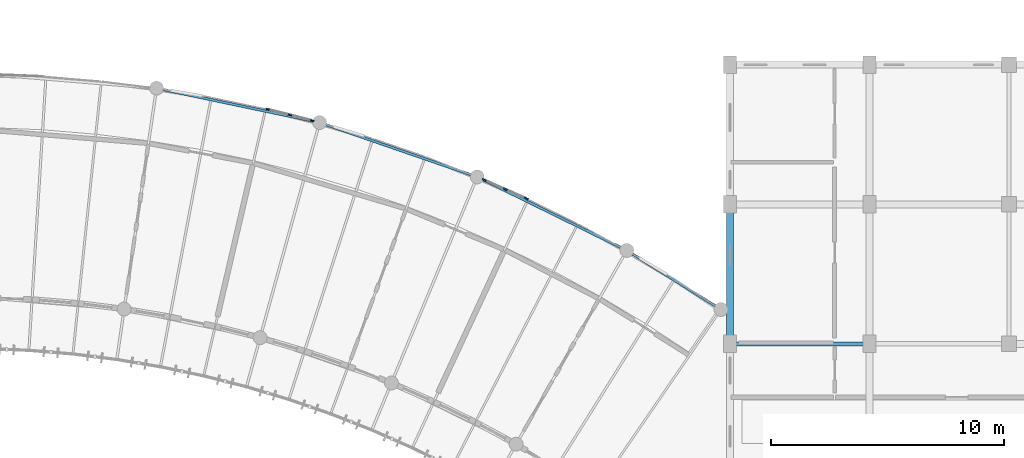
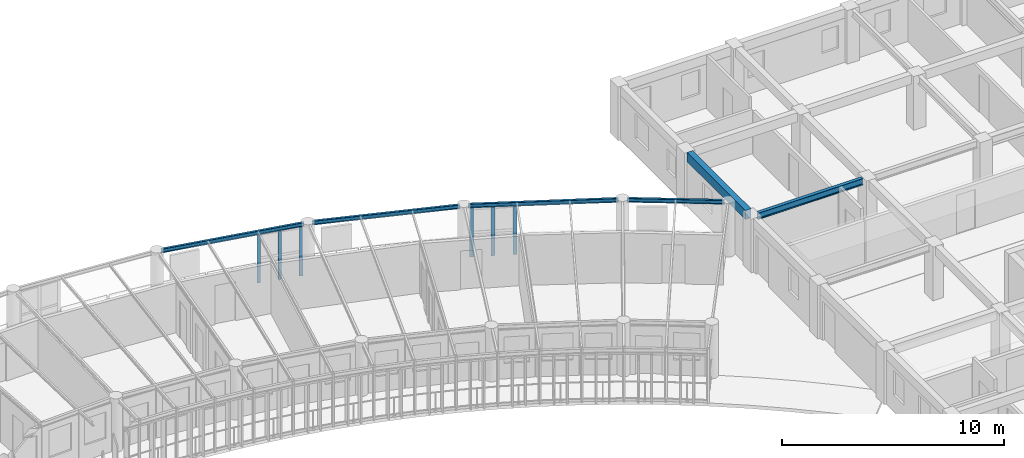
# One storey, part 40 of 100: 6 beams, 6 members, 2 elements without a shape of their own.
"""IFC4 building model written with IfcOpenShell, lengths in metres."""

from ifc_helpers import new_model, si_unit, direction, frame, origin, origin_2d, place, context, subcontext, project, spatial, rectangle, i_section, extrude, material, layer, layer_set, material_profile, profile_set, type_object, element, aggregate, save


model = new_model("IFC4")

# Units and contexts
model_context = context("Model", 3, precision=1e-05, world=origin(), true_north=direction((0.0, 1.0)))
body_context = subcontext(model_context, "Body", "Model", "MODEL_VIEW")
ifc_project = project(units=[si_unit("LENGTHUNIT", "METRE"), si_unit("AREAUNIT", "SQUARE_METRE"), si_unit("VOLUMEUNIT", "CUBIC_METRE"), si_unit("PLANEANGLEUNIT", "RADIAN"), si_unit("MASSUNIT", "GRAM", prefix="KILO"), si_unit("POWERUNIT", "WATT"), si_unit("THERMODYNAMICTEMPERATUREUNIT", "KELVIN")], contexts=[model_context])

# Site, building, storey
site_placement = place(None, origin())
site = spatial("IfcSite", under=ifc_project, at=site_placement, CompositionType="ELEMENT")
building_placement = place(site_placement, origin())
building = spatial("IfcBuilding", under=site, at=building_placement, Name="Ruvembo Vaulted Housing Court", CompositionType="ELEMENT")
storey_placement = place(building_placement, frame((0.0, 0.0, 14.10009765625)))
storey = spatial("IfcBuildingStorey", under=building, at=storey_placement, Name="L04", CompositionType="ELEMENT", Elevation=14.10009765625)

# Beams
ifc_material_1 = material(Name="Steel S355J2", Category="steel")
ifc_material_profile_1 = material_profile(ifc_material_1, i_section(OverallWidth=0.110107421875, OverallDepth=0.219970703125, WebThickness=0.005859375, FlangeThickness=0.00927734375, FilletRadius=0.011962890625, at=origin_2d()), Name="IPE 220")
ifc_profile_set_1 = profile_set([ifc_material_profile_1], Name="Steel S355J2")
beam_type_1 = type_object("IfcBeamType", Name="BM-ST-IPE220", PredefinedType="SPANDREL", material=ifc_profile_set_1)
beam_1_placement = place(storey_placement, frame((125.52490234375, 106.9541015625, 2.831787109375), z_axis=(0.978536809397, -0.206072105474, 0.0), x_axis=(0.206072105474, 0.978536809397, 0.0)))
element("IfcBeam", 1, at=beam_1_placement, inside=storey, type_object=beam_type_1, Name="Scoop SC3 L04 Chord Girder B18", PredefinedType="SPANDREL", context=body_context, shape_type="SweptSolid", body=[
    extrude(i_section(OverallWidth=0.110107421875, OverallDepth=0.219970703125, WebThickness=0.005859375, FlangeThickness=0.00927734375, FilletRadius=0.011962890625, at=origin_2d()), origin(), (0.0, 0.0, 1.0), 6.78857421875),
])
for number, where, z_axis, x_axis, name in (
    (2, (132.533203125, 105.4541015625, 2.831787109375), (0.945363426352, -0.326018392296, 0.0), (0.326018392296, 0.945363426352, 0.0), "Scoop SC3 L04 Chord Girder B21"),
    (3, (139.30078125, 103.09521484375, 2.831787109375), (0.89756256607, -0.44088710572, 0.0), (0.44088710572, 0.89756256607, 0.0), "Scoop SC3 L04 Chord Girder B24"),
):
    element("IfcBeam", number, at=place(storey_placement, frame(where, z_axis=z_axis, x_axis=x_axis)), inside=storey, type_object=beam_type_1, Name=name, PredefinedType="SPANDREL", context=body_context, shape_type="SweptSolid", body=[
        extrude(i_section(OverallWidth=0.110107421875, OverallDepth=0.219970703125, WebThickness=0.005859375, FlangeThickness=0.00927734375, FilletRadius=0.011962890625, at=origin_2d()), origin(), (0.0, 0.0, 1.0), 6.788330078125),
    ])
beam_2_placement = place(storey_placement, frame((145.725341796875, 99.91748046875, 2.831787109375), z_axis=(0.847036957931, -0.531533998817, 0.0), x_axis=(0.531533998817, 0.847036957931, 0.0)))
element("IfcBeam", 4, at=beam_2_placement, inside=storey, type_object=beam_type_1, Name="Scoop SC3 L04 Chord Girder B27", PredefinedType="SPANDREL", context=body_context, shape_type="SweptSolid", body=[
    extrude(i_section(OverallWidth=0.110107421875, OverallDepth=0.219970703125, WebThickness=0.005859375, FlangeThickness=0.00927734375, FilletRadius=0.011962890625, at=origin_2d()), origin(), (0.0, 0.0, 1.0), 4.400634765625),
])
ifc_material_profile_2 = material_profile(ifc_material_1, i_section(OverallWidth=0.169921875, OverallDepth=0.360107421875, WebThickness=0.008056640625, FlangeThickness=0.0126953125, FilletRadius=0.01806640625, at=origin_2d()), Name="IPE 360")
ifc_profile_set_2 = profile_set([ifc_material_profile_2], Name="Steel S355J2")
beam_type_2 = type_object("IfcBeamType", Name="BM-ST-IPE360", PredefinedType="BEAM", material=ifc_profile_set_2)
beam_3_placement = place(storey_placement, frame((150.260009765625, 96.0, 2.745849609375), z_axis=(1.0, 0.0, 0.0), x_axis=(0.0, 1.0, 0.0)))
element("IfcBeam", 5, at=beam_3_placement, inside=storey, type_object=beam_type_2, Name="L04 Grid Beam X #2109", PredefinedType="BEAM", context=body_context, shape_type="SweptSolid", body=[
    extrude(i_section(OverallWidth=0.169921875, OverallDepth=0.360107421875, WebThickness=0.008056640625, FlangeThickness=0.0126953125, FilletRadius=0.01806640625, at=origin_2d()), origin(), (0.0, 0.0, 1.0), 5.47998046875),
])

# Curtain wall, members
ifc_material_2 = material(Name="Anodised Aluminium and Solar-Control Glass", Category="aluminium")
ifc_layer = layer(ifc_material_2, 0.139892578125, Name="Anodised Aluminium and Solar-Control Glass")
ifc_layer_set = layer_set([ifc_layer], Name="Anodised Aluminium and Solar-Control Glass")
curtain_wall_type = type_object("IfcCurtainWallType", Name="CW-SCOOP-PAN", PredefinedType="NOTDEFINED", material=ifc_layer_set)
curtain_wall_1_placement = place(storey_placement, origin())
curtain_wall_1 = element("IfcCurtainWall", 6, at=curtain_wall_1_placement, inside=storey, type_object=curtain_wall_type, Name="L04 Curtain Wall CW-L04-0082", PredefinedType="NOTDEFINED")
ifc_material_3 = material(Name="Anodised Aluminium 6063-T6", Category="aluminium")
ifc_material_profile_3 = material_profile(ifc_material_3, rectangle(XDim=0.06494140625, YDim=0.179931640625, at=origin_2d()), Name="ALU 65x180")
ifc_profile_set_3 = profile_set([ifc_material_profile_3], Name="Anodised Aluminium 6063-T6")
member_type_1 = type_object("IfcMemberType", Name="CW-MUL-65x180", PredefinedType="MULLION", material=ifc_profile_set_3)
member_1_placement = place(storey_placement, frame((139.4345703125, 103.044921875, 0.0), z_axis=(0.0, 0.0, 1.0), x_axis=(0.403272228386, 0.915080056505, 0.0)))
member_1 = element("IfcMember", 7, at=member_1_placement, type_object=member_type_1, Name="CW10 mullion 1", PredefinedType="MULLION", context=body_context, shape_type="SweptSolid", body=[
    extrude(rectangle(XDim=0.06494140625, YDim=0.179931640625, at=origin_2d()), origin(), (0.0, 0.0, 1.0), 2.697998046875),
])
member_2_placement = place(storey_placement, frame((140.338623046875, 102.646484375, 0.0), z_axis=(0.0, 0.0, 1.0), x_axis=(0.403272228386, 0.915080056505, 0.0)))
member_2 = element("IfcMember", 8, at=member_2_placement, type_object=member_type_1, Name="CW10 mullion 2", PredefinedType="MULLION", context=body_context, shape_type="SweptSolid", body=[
    extrude(rectangle(XDim=0.06494140625, YDim=0.179931640625, at=origin_2d()), origin(), (0.0, 0.0, 1.0), 2.697998046875),
])
member_3_placement = place(storey_placement, frame((141.24267578125, 102.248046875, 0.0), z_axis=(0.0, 0.0, 1.0), x_axis=(0.403272228386, 0.915080056505, 0.0)))
member_3 = element("IfcMember", 9, at=member_3_placement, type_object=member_type_1, Name="CW10 mullion 3", PredefinedType="MULLION", context=body_context, shape_type="SweptSolid", body=[
    extrude(rectangle(XDim=0.06494140625, YDim=0.179931640625, at=origin_2d()), origin(), (0.0, 0.0, 1.0), 2.697998046875),
])
aggregate(curtain_wall_1, [member_1, member_2, member_3])

curtain_wall_2_placement = place(storey_placement, origin())
curtain_wall_2 = element("IfcCurtainWall", 10, at=curtain_wall_2_placement, inside=storey, type_object=curtain_wall_type, Name="L04 Curtain Wall CW-L04-0081", PredefinedType="NOTDEFINED")
ifc_material_profile_4 = material_profile(ifc_material_3, rectangle(XDim=0.06005859375, YDim=0.159912109375, at=origin_2d()), Name="ALU 60x160")
ifc_profile_set_4 = profile_set([ifc_material_profile_4], Name="Anodised Aluminium 6063-T6")
member_type_2 = type_object("IfcMemberType", Name="CW-MULLION-65x150", PredefinedType="MULLION", material=ifc_profile_set_4)
member_4_placement = place(storey_placement, frame((130.1142578125, 106.085693359375, 0.0), z_axis=(0.0, 0.0, 1.0), x_axis=(0.246511106269, 0.969139966406, 0.0)))
member_4 = element("IfcMember", 11, at=member_4_placement, type_object=member_type_2, Name="CW10 mullion 1", PredefinedType="MULLION", context=body_context, shape_type="SweptSolid", body=[
    extrude(rectangle(XDim=0.06005859375, YDim=0.159912109375, at=origin_2d()), origin(), (0.0, 0.0, 1.0), 2.697998046875),
])
member_5_placement = place(storey_placement, frame((131.073974609375, 105.841552734375, 0.0), z_axis=(0.0, 0.0, 1.0), x_axis=(0.246511106269, 0.969139966406, 0.0)))
member_5 = element("IfcMember", 12, at=member_5_placement, type_object=member_type_2, Name="CW10 mullion 2", PredefinedType="MULLION", context=body_context, shape_type="SweptSolid", body=[
    extrude(rectangle(XDim=0.06005859375, YDim=0.159912109375, at=origin_2d()), origin(), (0.0, 0.0, 1.0), 2.697998046875),
])
member_6_placement = place(storey_placement, frame((132.033935546875, 105.597412109375, 0.0), z_axis=(0.0, 0.0, 1.0), x_axis=(0.246511106269, 0.969139966406, 0.0)))
member_6 = element("IfcMember", 13, at=member_6_placement, type_object=member_type_2, Name="CW10 mullion 3", PredefinedType="MULLION", context=body_context, shape_type="SweptSolid", body=[
    extrude(rectangle(XDim=0.06005859375, YDim=0.159912109375, at=origin_2d()), origin(), (0.0, 0.0, 1.0), 2.697998046875),
])
aggregate(curtain_wall_2, [member_4, member_5, member_6])

# Beam
ifc_material_4 = material(Name="Concrete C35/45", Category="concrete")
ifc_material_profile_5 = material_profile(ifc_material_4, rectangle(XDim=0.300048828125, YDim=0.5, at=origin_2d()), Name="RC 300x500")
ifc_profile_set_5 = profile_set([ifc_material_profile_5], Name="Concrete C35/45")
beam_type_3 = type_object("IfcBeamType", Name="SP-RC-300x500", PredefinedType="SPANDREL", material=ifc_profile_set_5)
beam_4_placement = place(storey_placement, frame((150.0, 96.360107421875, 2.699951171875), z_axis=(0.0, 1.0, 0.0), x_axis=(-1.0, 0.0, 0.0)))
element("IfcBeam", 14, at=beam_4_placement, inside=storey, type_object=beam_type_3, Name="L04 Grid Beam Y #2254", PredefinedType="SPANDREL", context=body_context, shape_type="SweptSolid", body=[
    extrude(rectangle(XDim=0.300048828125, YDim=0.5, at=origin_2d()), origin(), (0.0, 0.0, 1.0), 5.27978515625),
])

save(model, "model.ifc")
